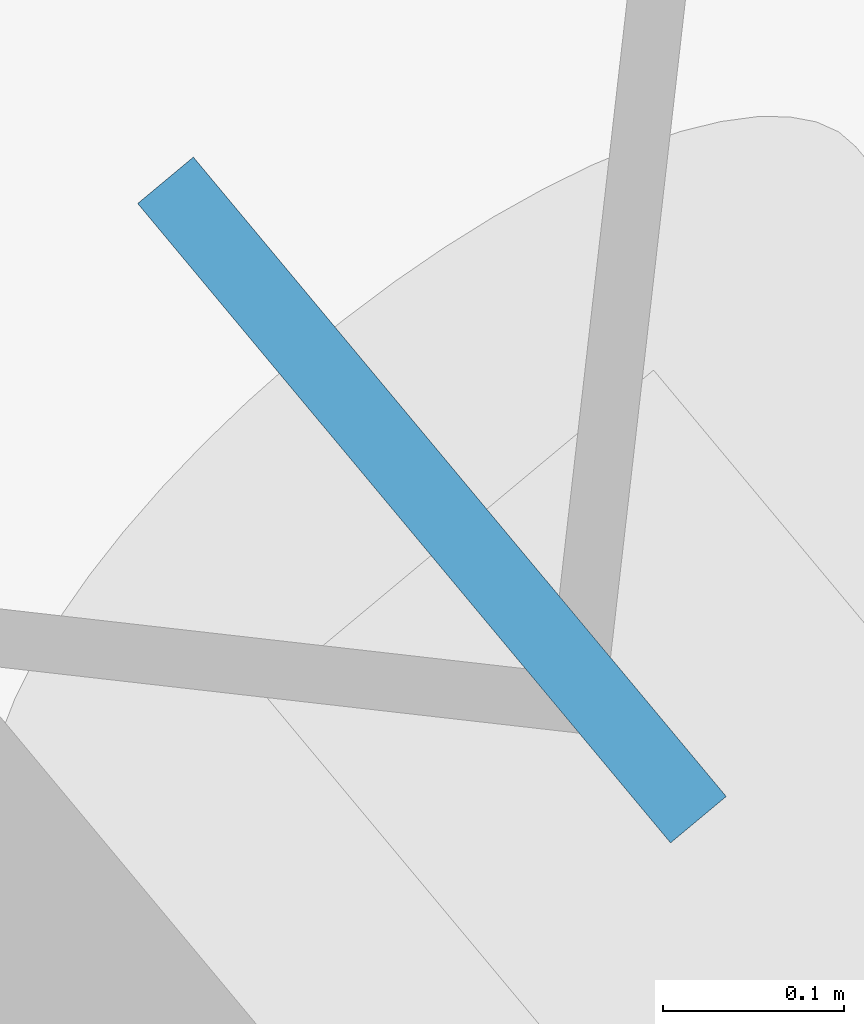
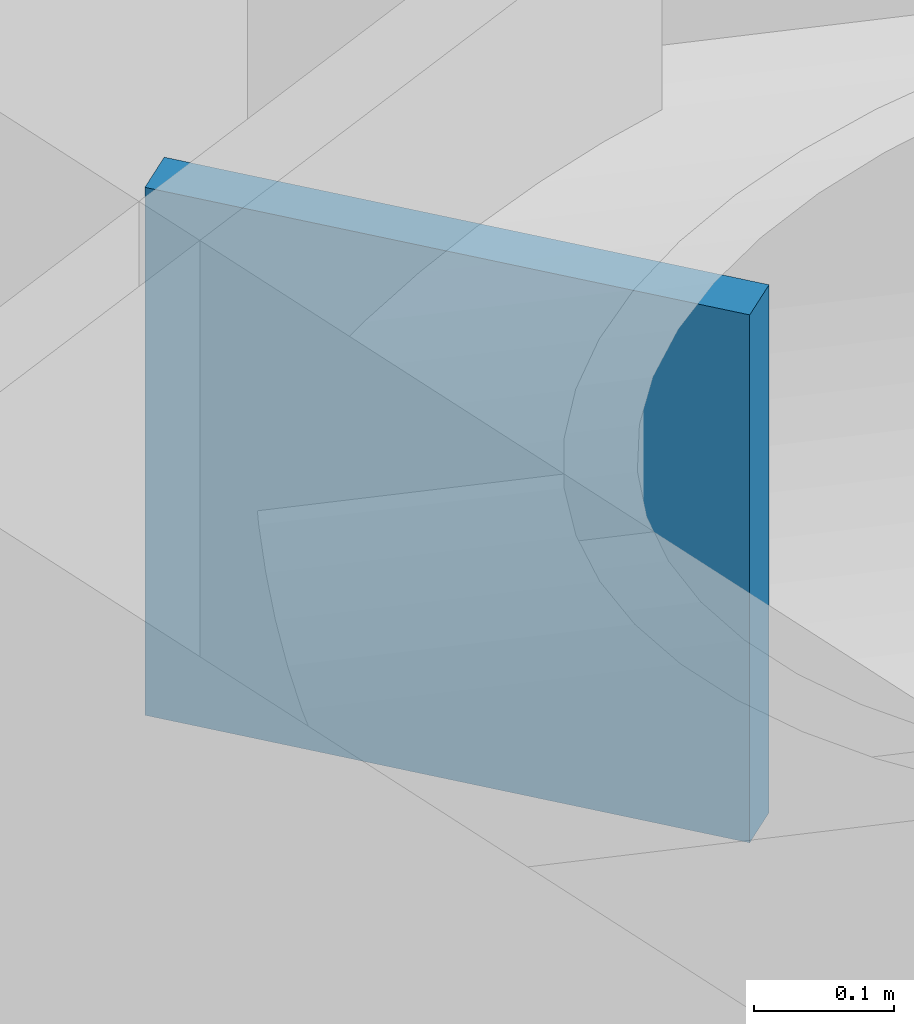
# One storey, part 19 of 21: 1 discrete accessory.
"""IFC4 building model written with IfcOpenShell, lengths in metres."""

from ifc_helpers import new_model, si_unit, direction, frame, origin, origin_2d, place, context, subcontext, project, spatial, rectangle, extrude, material, type_object, element, save


model = new_model("IFC4")

# Units and contexts
model_context = context("Model", 3, precision=1e-05, world=origin(), true_north=direction((0.0, 1.0)))
body_context = subcontext(model_context, "Body", "Model", "MODEL_VIEW")
ifc_project = project(units=[si_unit("LENGTHUNIT", "METRE"), si_unit("AREAUNIT", "SQUARE_METRE"), si_unit("VOLUMEUNIT", "CUBIC_METRE"), si_unit("PLANEANGLEUNIT", "RADIAN"), si_unit("MASSUNIT", "GRAM", prefix="KILO")], contexts=[model_context])

# Site, building, storey
site_placement = place(None, origin())
site = spatial("IfcSite", under=ifc_project, at=site_placement, CompositionType="ELEMENT")
building_placement = place(site_placement, origin())
building = spatial("IfcBuilding", under=site, at=building_placement, Name="Tavrogorsk Clinical Tower", CompositionType="ELEMENT")
storey_placement = place(building_placement, frame((0.0, 0.0, 125.39990234375)))
storey = spatial("IfcBuildingStorey", under=building, at=storey_placement, Name="L28", CompositionType="ELEMENT", Elevation=125.39990234375)

# Discrete accessory
ifc_material = material(Name="Structural steel S440", Category="steel")
discrete_accessory_type = type_object("IfcDiscreteAccessoryType", Name="GussetPlateBracket_25", PredefinedType="BRACKET", material=ifc_material)
discrete_accessory_placement = place(storey_placement, frame((37.2109375, 18.06640625, 0.197021484375), z_axis=(0.0, 0.0, 1.0), x_axis=(0.640243780506, -0.768171791674, 0.0)))
element("IfcDiscreteAccessory", 1, at=discrete_accessory_placement, inside=storey, type_object=discrete_accessory_type, Name="L28 Brace Gusset Plate EXOCRN-L28-2-A", PredefinedType="BRACKET", context=body_context, shape_type="SweptSolid", body=[
    extrude(rectangle(XDim=0.4599609375, YDim=0.0400390625, at=origin_2d()), origin(), (0.0, 0.0, 1.0), 0.4599609375),
])

save(model, "model.ifc")
